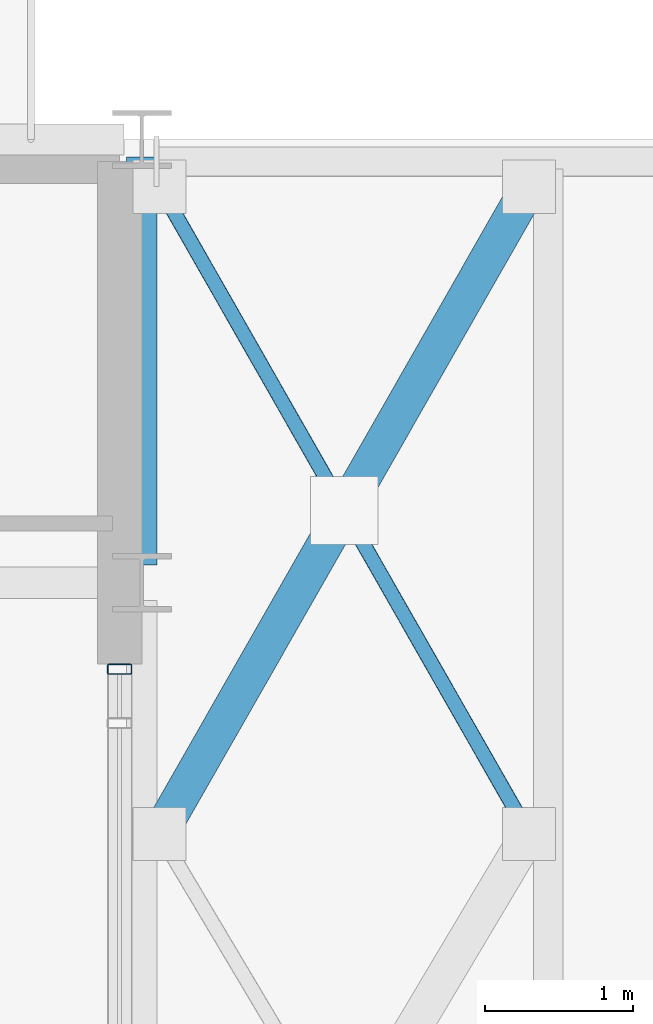
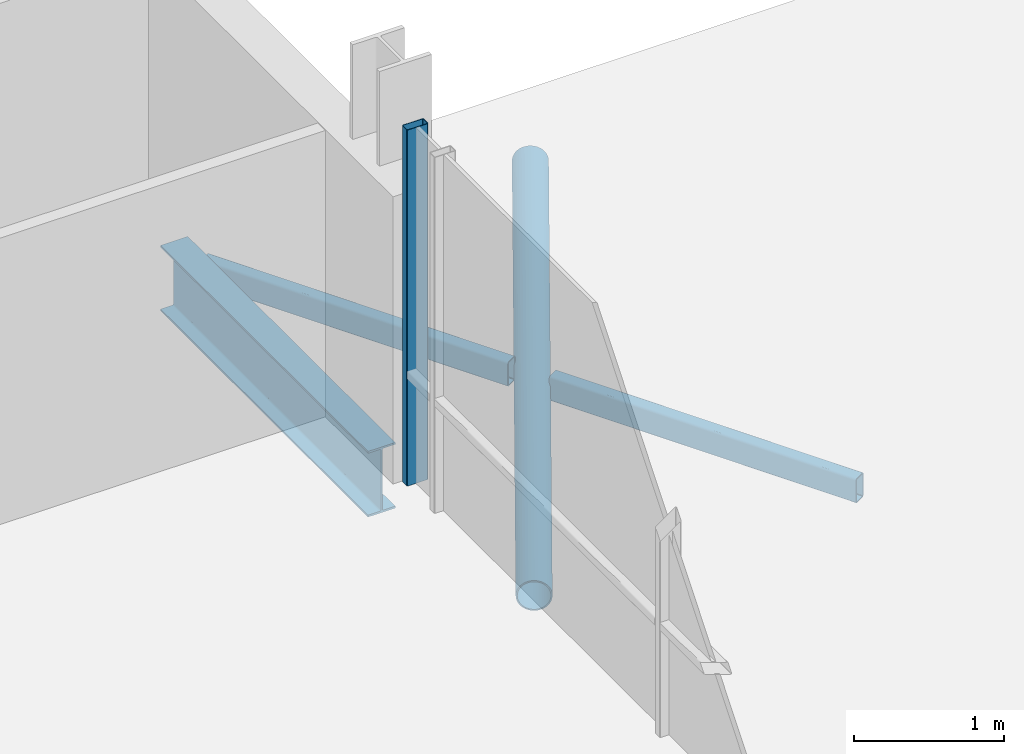
# One storey, part 11 of 33: 4 members, 1 beam, 1 element without a shape of its own.
"""IFC4 building model written with IfcOpenShell, lengths in metres."""

import ifcopenshell
import ifcopenshell.guid

model = None  # the IFC model being written
_history = None  # IfcOwnerHistory: only IFC2X3 demands one
_inside = {}  # id of a spatial element -> (the spatial element, [elements in it])
_under = {}  # id of a project, library or spatial element -> (it, [spatial elements below it])
_declared = {}  # id of a project -> (the project, [libraries it declares])
_typed = {}  # id of a type object -> (the type object, [elements of that type])
_made_of = {}  # id of a material, layer set ... -> (it, [elements and type objects made of it])


def new_model(schema):
    """Start an empty IFC model of exactly this schema.

    Asked for "IFC4X3", IfcOpenShell would pick the latest addendum, in which some entities
    have other attributes; the version numbers below select the first issue.
    IFC2X3 requires an IfcOwnerHistory on every rooted entity: one is made here for all.
    """
    global model, _history
    if schema == "IFC4X3":
        model = ifcopenshell.file(schema_version=(4, 3, 0, 0))
    else:
        model = ifcopenshell.file(schema=schema)
    _inside.clear()
    _under.clear()
    _declared.clear()
    _typed.clear()
    _made_of.clear()
    _history = None
    if model.schema == "IFC2X3":
        org = make("IfcOrganization", Name="unknown")
        user = make(
            "IfcPersonAndOrganization",
            ThePerson=make("IfcPerson", FamilyName="unknown"),
            TheOrganization=org,
        )
        app = make(
            "IfcApplication",
            ApplicationDeveloper=org,
            Version="unknown",
            ApplicationFullName="unknown",
            ApplicationIdentifier="unknown",
        )
        _history = make(
            "IfcOwnerHistory",
            OwningUser=user,
            OwningApplication=app,
            ChangeAction="ADDED",
            CreationDate=0,
        )
    return model


def make(cls, **values):
    """One entity of the class cls with the attributes given. An attribute that is None is left unset."""
    return model.create_entity(
        cls, **{name: value for name, value in values.items() if value is not None}
    )


def rooted(cls, **values):
    """An entity with a GlobalId (a new one), such as an element, a storey or a relation."""
    return make(cls, GlobalId=ifcopenshell.guid.new(), OwnerHistory=_history, **values)


def si_unit(unit_type, name, prefix=None):
    """IfcSIUnit, for example si_unit("LENGTHUNIT", "METRE", prefix="MILLI")."""
    return make("IfcSIUnit", UnitType=unit_type, Prefix=prefix, Name=name)


def assignment(units):
    """IfcUnitAssignment: the units of a project."""
    return None if units is None else make("IfcUnitAssignment", Units=units)


def point(xyz):
    """IfcCartesianPoint."""
    return None if xyz is None else make("IfcCartesianPoint", Coordinates=xyz)


def direction(xyz):
    """IfcDirection."""
    return None if xyz is None else make("IfcDirection", DirectionRatios=xyz)


def frame(location, z_axis=None, x_axis=None):
    """IfcAxis2Placement3D, a coordinate frame: its origin and axes. An axis left out is left unset."""
    return make(
        "IfcAxis2Placement3D",
        Location=point(location),
        Axis=direction(z_axis),
        RefDirection=direction(x_axis),
    )


def frame_2d(location, x_axis=None):
    """IfcAxis2Placement2D, a coordinate frame in the plane: its origin and x axis."""
    return make(
        "IfcAxis2Placement2D", Location=point(location), RefDirection=direction(x_axis)
    )


def origin():
    """The frame at (0, 0, 0) with its axes left unset."""
    return frame((0.0, 0.0, 0.0))


def origin_2d():
    """The frame at (0, 0) in the plane with its x axis left unset."""
    return frame_2d((0.0, 0.0))


def place(relative_to, where):
    """IfcLocalPlacement: puts the frame where relative to a parent placement (None: the world)."""
    return make(
        "IfcLocalPlacement", PlacementRelTo=relative_to, RelativePlacement=where
    )


def context(
    kind, dimensions, precision=None, world=None, true_north=None, identifier=None
):
    """IfcGeometricRepresentationContext, for example the 3D "Model" context."""
    return make(
        "IfcGeometricRepresentationContext",
        ContextIdentifier=identifier,
        ContextType=kind,
        CoordinateSpaceDimension=dimensions,
        Precision=precision,
        WorldCoordinateSystem=world,
        TrueNorth=true_north,
    )


def subcontext(parent, identifier, kind, view, scale=None):
    """IfcGeometricRepresentationSubContext, for example "Body" below "Model"."""
    return make(
        "IfcGeometricRepresentationSubContext",
        ContextIdentifier=identifier,
        ContextType=kind,
        ParentContext=parent,
        TargetScale=scale,
        TargetView=view,
    )


def project(units=None, contexts=None):
    """IfcProject with its units and contexts."""
    return rooted(
        "IfcProject",
        Name="project",
        RepresentationContexts=contexts,
        UnitsInContext=assignment(units),
    )


def spatial(cls, under=None, at=None, **own):
    """A site, building, storey or space (cls), placed at a placement, below another one or the project."""
    s = rooted(cls, ObjectPlacement=at, **own)
    if under is not None:
        _under.setdefault(under.id(), (under, []))[1].append(s)
    return s


def profile(cls, at=None, kind="AREA", **sizes):
    """A parametric profile (cls). Its sizes go by their IFC names, for example OverallWidth=200.0."""
    return make(cls, ProfileType=kind, Position=at, **sizes)


def hollow_rectangle(**sizes):
    """IfcRectangleHollowProfileDef."""
    return profile("IfcRectangleHollowProfileDef", **sizes)


def hollow_circle(**sizes):
    """IfcCircleHollowProfileDef."""
    return profile("IfcCircleHollowProfileDef", **sizes)


def i_section(**sizes):
    """IfcIShapeProfileDef."""
    return profile("IfcIShapeProfileDef", **sizes)


def extrude(swept, where, along, depth):
    """IfcExtrudedAreaSolid: the profile swept, set in the frame where, extruded along a direction by depth."""
    return make(
        "IfcExtrudedAreaSolid",
        SweptArea=swept,
        Position=where,
        ExtrudedDirection=direction(along),
        Depth=depth,
    )


def shape(context_of_items, identifier, shape_type, items):
    """IfcShapeRepresentation: the items that make up one representation, for example the "Body"."""
    return make(
        "IfcShapeRepresentation",
        ContextOfItems=context_of_items,
        RepresentationIdentifier=identifier,
        RepresentationType=shape_type,
        Items=items,
    )


def material(Name=None, Category=None):
    """IfcMaterial."""
    return make("IfcMaterial", Name=Name, Category=Category)


def layer(
    of_material, thickness, ventilated=None, Name=None, Category=None, Priority=None
):
    """IfcMaterialLayer: one layer of a wall or slab, of a material (None: an air gap)."""
    return make(
        "IfcMaterialLayer",
        Material=of_material,
        LayerThickness=thickness,
        IsVentilated=ventilated,
        Name=Name,
        Category=Category,
        Priority=Priority,
    )


def layer_set(layers, Name=None):
    """IfcMaterialLayerSet."""
    return make("IfcMaterialLayerSet", MaterialLayers=layers, LayerSetName=Name)


def material_profile(
    of_material, cross_section, Name=None, Category=None, Priority=None
):
    """IfcMaterialProfile: a cross section and its material."""
    return make(
        "IfcMaterialProfile",
        Name=Name,
        Material=of_material,
        Profile=cross_section,
        Priority=Priority,
        Category=Category,
    )


def profile_set(profiles, Name=None, composite=None):
    """IfcMaterialProfileSet."""
    return make(
        "IfcMaterialProfileSet",
        Name=Name,
        MaterialProfiles=profiles,
        CompositeProfile=composite,
    )


def made_of(thing, what):
    """Note that an element or type object is made of a material, layer set ...; save() writes the relation."""
    if what is not None:
        _made_of.setdefault(what.id(), (what, []))[1].append(thing)
    return thing


def type_object(cls, material=None, **own):
    """A type object (cls), such as IfcWallType, which elements share."""
    return made_of(rooted(cls, **own), material)


def element(
    cls,
    number,
    at=None,
    inside=None,
    cuts=None,
    type_object=None,
    material=None,
    context=None,
    identifier="Body",
    shape_type=None,
    held_by="IfcProductDefinitionShape",
    body=None,
    shapes=None,
    **own,
):
    """One element of the class cls, such as IfcWall. Its Tag is "e" and its number.

    at: its placement. inside: the storey or other place that contains it. cuts: it is an
    opening in that element (IfcRelVoidsElement). A single representation is given by context,
    identifier, shape_type and body (its items); several are given by shapes. held_by: the class
    of the entity that holds the representations. save() writes the other relations.
    """
    e = rooted(cls, Tag="e%d" % number, ObjectPlacement=at, **own)
    if body is not None:
        shapes = [shape(context, identifier, shape_type, body)]
    if shapes is not None:
        e.Representation = make(held_by, Representations=shapes)
    if inside is not None:
        _inside.setdefault(inside.id(), (inside, []))[1].append(e)
    if cuts is not None:
        rooted(
            "IfcRelVoidsElement", RelatingBuildingElement=cuts, RelatedOpeningElement=e
        )
    if type_object is not None:
        _typed.setdefault(type_object.id(), (type_object, []))[1].append(e)
    return made_of(e, material)


def aggregate(whole, parts):
    """IfcRelAggregates: a whole, such as a stair, and the parts it consists of."""
    return rooted("IfcRelAggregates", RelatingObject=whole, RelatedObjects=parts)


def save(model, path):
    """Write the relations noted so far, then the file.

    IfcRelAggregates (storeys below a building ...), IfcRelContainedInSpatialStructure (elements
    in a storey), IfcRelDefinesByType, IfcRelAssociatesMaterial and IfcRelDeclares: one each for
    every whole, place, type object, material and project.
    """
    for whole, parts in _under.values():
        aggregate(whole, parts)
    for where, things in _inside.values():
        rooted(
            "IfcRelContainedInSpatialStructure",
            RelatedElements=things,
            RelatingStructure=where,
        )
    for kind, things in _typed.values():
        rooted("IfcRelDefinesByType", RelatedObjects=things, RelatingType=kind)
    for what, things in _made_of.values():
        rooted("IfcRelAssociatesMaterial", RelatedObjects=things, RelatingMaterial=what)
    for by, libraries in _declared.values():
        rooted("IfcRelDeclares", RelatingContext=by, RelatedDefinitions=libraries)
    model.write(path)


model = new_model("IFC4")

# Units and contexts
model_context = context("Model", 3, precision=1e-05, world=origin(), true_north=direction((0.0, 1.0)))
body_context = subcontext(model_context, "Body", "Model", "MODEL_VIEW")
ifc_project = project(units=[si_unit("LENGTHUNIT", "METRE"), si_unit("AREAUNIT", "SQUARE_METRE"), si_unit("VOLUMEUNIT", "CUBIC_METRE"), si_unit("PLANEANGLEUNIT", "RADIAN"), si_unit("MASSUNIT", "GRAM", prefix="KILO")], contexts=[model_context])

# Site, building, storey
site_placement = place(None, origin())
site = spatial("IfcSite", under=ifc_project, at=site_placement, CompositionType="ELEMENT")
building_placement = place(site_placement, origin())
building = spatial("IfcBuilding", under=site, at=building_placement, Name="Brevholm Reach", CompositionType="ELEMENT")
storey_placement = place(building_placement, frame((0.0, 0.0, 189.39990234375)))
storey = spatial("IfcBuildingStorey", under=building, at=storey_placement, Name="L57", CompositionType="ELEMENT", Elevation=189.39990234375)

# Beam
ifc_material_1 = material(Name="Structural Steel S355J2", Category="steel")
ifc_material_profile_1 = material_profile(ifc_material_1, i_section(OverallWidth=0.209228515625, OverallDepth=0.533203125, WebThickness=0.010009765625, FlangeThickness=0.015625, FilletRadius=0.0126953125, at=origin_2d()), Name="UKB 533x210x92")
ifc_profile_set_1 = profile_set([ifc_material_profile_1], Name="Structural Steel S355J2")
beam_type = type_object("IfcBeamType", Name="BM-SP533", PredefinedType="SPANDREL", material=ifc_profile_set_1)
beam_placement = place(storey_placement, frame((21.75, 23.6201171875, -0.4765625), z_axis=(0.0, 1.0, 0.0), x_axis=(-1.0, 0.0, 0.0)))
element("IfcBeam", 1, at=beam_placement, inside=storey, type_object=beam_type, Name="L57 SP-02 Framing Beam", PredefinedType="SPANDREL", context=body_context, shape_type="SweptSolid", body=[
    extrude(i_section(OverallWidth=0.209228515625, OverallDepth=0.533203125, WebThickness=0.010009765625, FlangeThickness=0.015625, FilletRadius=0.0126953125, at=origin_2d()), origin(), (0.0, 0.0, 1.0), 2.759765625),
])

# Curtain wall, member
ifc_material_2 = material(Name="Dark Anodised Aluminium 6063-T6 and Solar-Control Glass", Category="aluminium")
ifc_layer = layer(ifc_material_2, 0.1650390625)
ifc_layer_set = layer_set([ifc_layer], Name="Dark Anodised Aluminium 6063-T6 and Solar-Control Glass")
curtain_wall_type = type_object("IfcCurtainWallType", Name="CW-04", PredefinedType="NOTDEFINED", material=ifc_layer_set)
curtain_wall_placement = place(storey_placement, origin())
curtain_wall = element("IfcCurtainWall", 2, at=curtain_wall_placement, inside=storey, type_object=curtain_wall_type, Name="L57 Curtain Wall CW-04", PredefinedType="NOTDEFINED")
ifc_material_3 = material(Name="Dark Anodised Aluminium 6063-T6", Category="aluminium")
ifc_material_profile_2 = material_profile(ifc_material_3, hollow_rectangle(XDim=0.070068359375, YDim=0.1650390625, WallThickness=0.0048828125, InnerFilletRadius=0.0048828125, OuterFilletRadius=0.010009765625, at=origin_2d()), Name="RHS 165x70x5")
ifc_profile_set_2 = profile_set([ifc_material_profile_2], Name="Dark Anodised Aluminium 6063-T6")
member_type_1 = type_object("IfcMemberType", Name="CWM-165", PredefinedType="MULLION", material=ifc_profile_set_2)
member_1_placement = place(storey_placement, frame((21.60009765625, 22.9150390625, 0.0), z_axis=(0.0, 0.0, 1.0), x_axis=(0.0, 1.0, 0.0)))
member_1 = element("IfcMember", 3, at=member_1_placement, type_object=member_type_1, Name="CM-165 Mullion 4", PredefinedType="MULLION", context=body_context, shape_type="SweptSolid", body=[
    extrude(hollow_rectangle(XDim=0.070068359375, YDim=0.1650390625, WallThickness=0.0048828125, InnerFilletRadius=0.0048828125, OuterFilletRadius=0.010009765625, at=origin_2d()), origin(), (0.0, 0.0, 1.0), 2.89013671875),
])
aggregate(curtain_wall, [member_1])

# Members
ifc_material_4 = material(Name="Structural Steel S355J2H", Category="steel")
ifc_material_profile_3 = material_profile(ifc_material_4, hollow_circle(Radius=0.122314453125, WallThickness=0.010009765625, at=origin_2d()), Name="CHS 244.5x10")
ifc_profile_set_3 = profile_set([ifc_material_profile_3], Name="Structural Steel S355J2H")
member_type_2 = type_object("IfcMemberType", Name="MEM-BR-CHS244", PredefinedType="BRACE", material=ifc_profile_set_3)
member_2_placement = place(storey_placement, frame((21.8701171875, 21.800048828125, -0.35498046875), z_axis=(0.495721807479, 0.868481369743, 0.0), x_axis=(-0.868481369743, 0.495721807479, 0.0)))
element("IfcMember", 4, at=member_2_placement, inside=storey, type_object=member_type_2, Name="L57 Skylight Plan Wind Brace 3", PredefinedType="BRACE", context=body_context, shape_type="SweptSolid", body=[
    extrude(hollow_circle(Radius=0.122314453125, WallThickness=0.010009765625, at=origin_2d()), origin(), (0.0, 0.0, 1.0), 5.043212890625),
])
ifc_material_5 = material(Name="Structural Steel S355J2H", Category="steel")
ifc_material_profile_4 = material_profile(ifc_material_5, hollow_rectangle(XDim=0.10009765625, YDim=0.199951171875, WallThickness=0.008056640625, InnerFilletRadius=0.008056640625, OuterFilletRadius=0.01611328125, at=origin_2d()), Name="RHS 200x100x8")
ifc_profile_set_4 = profile_set([ifc_material_profile_4], Name="Structural Steel S355J2H")
member_type_3 = type_object("IfcMemberType", Name="MEM-BR-RHS200", PredefinedType="BRACE", material=ifc_profile_set_4)
member_3_placement = place(storey_placement, frame((21.8701171875, 26.179931640625, -0.35498046875), z_axis=(0.495704682436, -0.868491144348, 0.0), x_axis=(0.868491144348, 0.495704682436, 0.0)))
element("IfcMember", 5, at=member_3_placement, inside=storey, type_object=member_type_3, Name="L57 Skylight Secondary Wind Tie 3A", PredefinedType="BRACE", context=body_context, shape_type="SweptSolid", body=[
    extrude(hollow_rectangle(XDim=0.10009765625, YDim=0.199951171875, WallThickness=0.008056640625, InnerFilletRadius=0.008056640625, OuterFilletRadius=0.01611328125, at=origin_2d()), origin(), (0.0, 0.0, 1.0), 2.361572265625),
])
member_4_placement = place(storey_placement, frame((23.19921875, 23.85107421875, -0.35498046875), z_axis=(0.495782653205, -0.868446636692, 0.0), x_axis=(0.868446636692, 0.495782653205, 0.0)))
element("IfcMember", 6, at=member_4_placement, inside=storey, type_object=member_type_3, Name="L57 Skylight Secondary Wind Tie 3B", PredefinedType="BRACE", context=body_context, shape_type="SweptSolid", body=[
    extrude(hollow_rectangle(XDim=0.10009765625, YDim=0.199951171875, WallThickness=0.008056640625, InnerFilletRadius=0.008056640625, OuterFilletRadius=0.01611328125, at=origin_2d()), origin(), (0.0, 0.0, 1.0), 2.36181640625),
])

save(model, "model.ifc")
